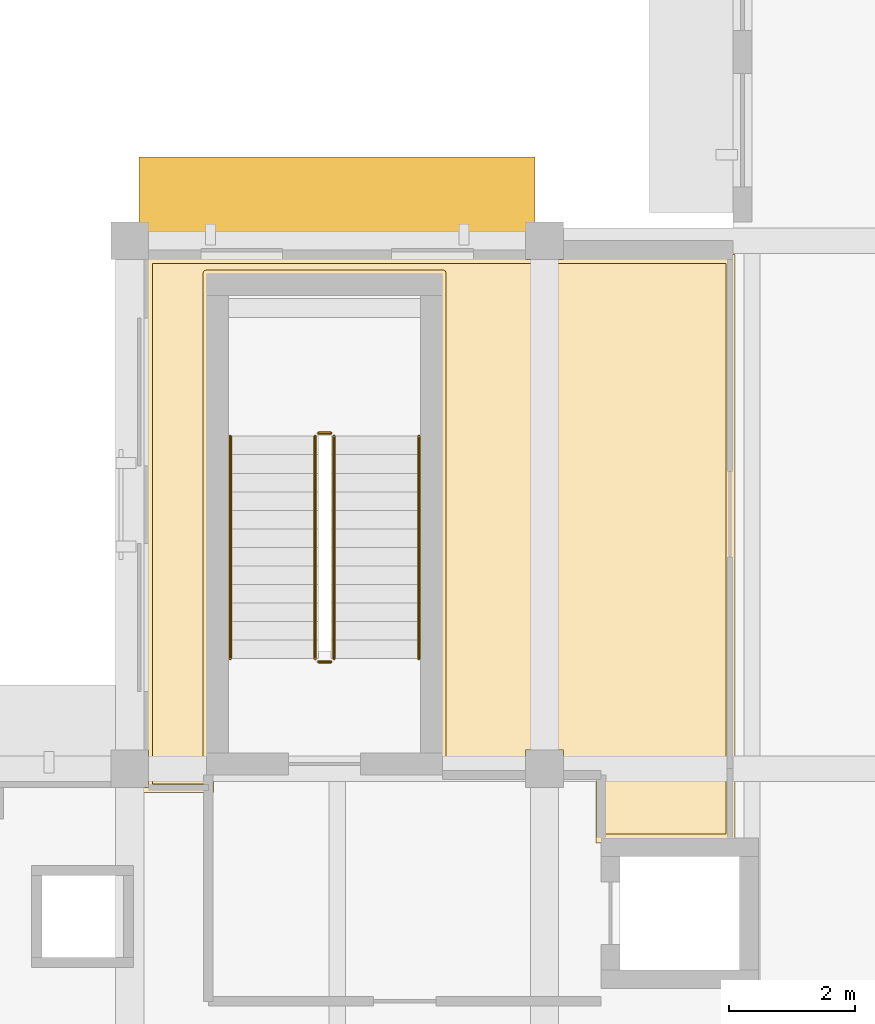
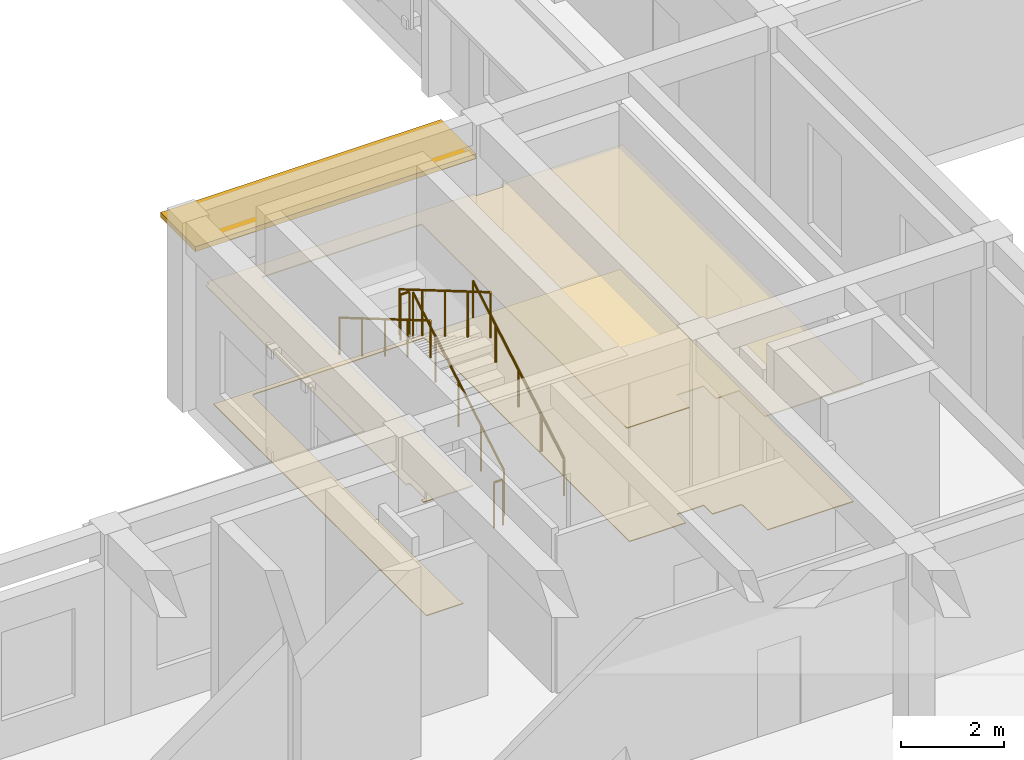
# One storey, part 22 of 25: 6 railings, 2 coverings, 1 shading device.
"""IFC4 building model written with IfcOpenShell, lengths in metres."""

from ifc_helpers import new_model, si_unit, direction, frame, origin, origin_2d, place, context, subcontext, project, spatial, polyline, rectangle, circle, outline, extrude, material, layer, layer_set, type_object, element, save


model = new_model("IFC4")

# Units and contexts
model_context = context("Model", 3, precision=1e-05, world=origin(), true_north=direction((0.0, 1.0)))
body_context = subcontext(model_context, "Body", "Model", "MODEL_VIEW")
ifc_project = project(units=[si_unit("LENGTHUNIT", "METRE"), si_unit("AREAUNIT", "SQUARE_METRE"), si_unit("VOLUMEUNIT", "CUBIC_METRE"), si_unit("PLANEANGLEUNIT", "RADIAN"), si_unit("MASSUNIT", "GRAM", prefix="KILO")], contexts=[model_context])

# Site, building, storey
site_placement = place(None, origin())
site = spatial("IfcSite", under=ifc_project, at=site_placement, CompositionType="ELEMENT")
building_placement = place(site_placement, origin())
building = spatial("IfcBuilding", under=site, at=building_placement, Name="Kolvaren Faculty of Natural Sciences", CompositionType="ELEMENT")
storey_placement = place(building_placement, frame((0.0, 0.0, 19.5)))
storey = spatial("IfcBuildingStorey", under=building, at=storey_placement, Name="L04", CompositionType="ELEMENT", Elevation=19.5)

# Covering
ifc_material_1 = material(Name="Perforated mineral-fibre acoustic suspended ceiling tile")
ifc_layer_1 = layer(ifc_material_1, 0.02490234375)
ifc_layer_set_1 = layer_set([ifc_layer_1], Name="Perforated mineral-fibre acoustic suspended ceiling tile")
covering_type_1 = type_object("IfcCoveringType", Name="AcousticSuspendedCeiling_25", PredefinedType="CEILING", material=ifc_layer_set_1)
covering_1_placement = place(storey_placement, frame((0.0, 0.0, 2.824951171875)))
element("IfcCovering", 1, at=covering_1_placement, inside=storey, type_object=covering_type_1, Name="L04 L04 Interdisciplinary Research Laboratory 29 acoustic ceiling", PredefinedType="CEILING", context=body_context, shape_type="SweptSolid", body=[
    extrude(outline(polyline([(135.22998046875, 41.97998046875), (135.22998046875, 32.6201171875), (133.02001953125, 32.6201171875), (133.02001953125, 33.6201171875), (132.5, 33.6201171875), (132.5, 34.10009765625), (131.89990234375, 34.10009765625), (131.89990234375, 33.6201171875), (130.4951171875, 33.6201171875), (130.4951171875, 41.594970703125), (126.905029296875, 41.594970703125), (126.905029296875, 33.780029296875), (126.929931640625, 33.780029296875), (126.929931640625, 33.419921875), (125.820068359375, 33.419921875), (125.820068359375, 33.5), (125.89990234375, 33.5), (125.89990234375, 34.10009765625), (125.820068359375, 34.10009765625), (125.820068359375, 41.89990234375), (125.89990234375, 41.89990234375), (125.89990234375, 41.97998046875), (131.89990234375, 41.97998046875), (131.89990234375, 41.89990234375), (132.5, 41.89990234375), (132.5, 41.97998046875), (135.199951171875, 41.97998046875), (135.22998046875, 41.97998046875)])), origin(), (0.0, 0.0, 1.0), 0.025146484375),
])

# Shading device
ifc_material_2 = material(Name="Precast concrete C35/45", Category="concrete")
ifc_layer_2 = layer(ifc_material_2, 0.1201171875)
ifc_layer_set_2 = layer_set([ifc_layer_2], Name="Precast concrete C35/45")
shading_device_type = type_object("IfcShadingDeviceType", Name="ChhajjaSolarHood_1350", PredefinedType="AWNING", material=ifc_layer_set_2)
shading_device_placement = place(storey_placement, frame((128.89990234375, 42.85498046875, 3.494873046875), z_axis=(0.0, 0.0, 1.0), x_axis=(1.0, 0.0, 0.0)))
element("IfcShadingDevice", 2, at=shading_device_placement, inside=storey, type_object=shading_device_type, Name="L04 precast sandstone chhajja solar hood 124", PredefinedType="AWNING", context=body_context, shape_type="SweptSolid", body=[
    extrude(rectangle(XDim=6.300048828125, YDim=1.35009765625, at=origin_2d()), origin(), (0.0, 0.0, 1.0), 0.1201171875),
])

# Covering
ifc_material_3 = material(Name="Seamless chemical-resistant laboratory epoxy resin flooring")
ifc_layer_3 = layer(ifc_material_3, 0.02001953125)
ifc_layer_set_3 = layer_set([ifc_layer_3], Name="Seamless chemical-resistant laboratory epoxy resin flooring")
covering_type_2 = type_object("IfcCoveringType", Name="LabEpoxyFloorFinish_20", PredefinedType="FLOORING", material=ifc_layer_set_3)
covering_2_placement = place(storey_placement, origin())
element("IfcCovering", 3, at=covering_2_placement, inside=storey, type_object=covering_type_2, Name="L04 L04 Interdisciplinary Research Laboratory 29 floor finish", PredefinedType="FLOORING", context=body_context, shape_type="SweptSolid", body=[
    extrude(outline(polyline([(135.090087890625, 41.840087890625), (135.090087890625, 32.760009765625), (133.159912109375, 32.760009765625), (133.159912109375, 33.699951171875), (133.15966796875, 33.705810546875), (133.15869140625, 33.711669921875), (133.157470703125, 33.71728515625), (133.155517578125, 33.722900390625), (133.15283203125, 33.728271484375), (133.14990234375, 33.7333984375), (133.146484375, 33.738037109375), (133.142333984375, 33.742431640625), (133.13818359375, 33.746337890625), (133.13330078125, 33.75), (133.12841796875, 33.7529296875), (133.123046875, 33.75537109375), (133.117431640625, 33.75732421875), (133.11181640625, 33.7587890625), (133.10595703125, 33.759765625), (133.10009765625, 33.760009765625), (132.5, 33.760009765625), (132.5, 34.10009765625), (131.89990234375, 34.10009765625), (131.89990234375, 33.760009765625), (130.635009765625, 33.760009765625), (130.635009765625, 41.675048828125), (130.634765625, 41.680908203125), (130.6337890625, 41.686767578125), (130.63232421875, 41.6923828125), (130.63037109375, 41.697998046875), (130.6279296875, 41.703369140625), (130.625, 41.708251953125), (130.621337890625, 41.713134765625), (130.617431640625, 41.71728515625), (130.613037109375, 41.721435546875), (130.6083984375, 41.724853515625), (130.603271484375, 41.727783203125), (130.597900390625, 41.73046875), (130.59228515625, 41.732421875), (130.586669921875, 41.73388671875), (130.580810546875, 41.734619140625), (130.574951171875, 41.735107421875), (126.824951171875, 41.735107421875), (126.819091796875, 41.734619140625), (126.813232421875, 41.73388671875), (126.8076171875, 41.732421875), (126.802001953125, 41.73046875), (126.796630859375, 41.727783203125), (126.791748046875, 41.724853515625), (126.786865234375, 41.721435546875), (126.78271484375, 41.71728515625), (126.778564453125, 41.713134765625), (126.775146484375, 41.708251953125), (126.772216796875, 41.703369140625), (126.76953125, 41.697998046875), (126.767578125, 41.6923828125), (126.76611328125, 41.686767578125), (126.765380859375, 41.680908203125), (126.764892578125, 41.675048828125), (126.764892578125, 33.699951171875), (126.765380859375, 33.694091796875), (126.76611328125, 33.688232421875), (126.767578125, 33.6826171875), (126.76953125, 33.677001953125), (126.772216796875, 33.671630859375), (126.775146484375, 33.666748046875), (126.778564453125, 33.661865234375), (126.78271484375, 33.65771484375), (126.786865234375, 33.653564453125), (126.7900390625, 33.6513671875), (126.7900390625, 33.56005859375), (125.9599609375, 33.56005859375), (125.9599609375, 41.840087890625), (135.090087890625, 41.840087890625)])), origin(), (0.0, 0.0, 1.0), 0.02001953125),
])

# Railings
ifc_material_4 = material(Name="Structural steel EN 10210-1 S355J2H", Category="steel")
ifc_layer_4 = layer(ifc_material_4, 0.048095703125)
ifc_layer_set_4 = layer_set([ifc_layer_4], Name="Structural steel EN 10210-1 S355J2H")
railing_type_1 = type_object("IfcRailingType", Name="StairPitchHandrail_920", PredefinedType="HANDRAIL", material=ifc_layer_set_4)
railing_1_placement = place(storey_placement, frame((130.199951171875, 35.550048828125, 0.173095703125)))
element("IfcRailing", 4, at=railing_1_placement, inside=storey, type_object=railing_type_1, Name="L04 ST-3 stair handrail 1", PredefinedType="HANDRAIL", context=body_context, shape_type="SweptSolid", body=[
    extrude(circle(Radius=0.02392578125, at=origin_2d()), frame((0.0, 0.0, 0.8759765625), z_axis=(0.0, 0.862516251723, 0.506029362304), x_axis=(-1.0, 0.0, 0.0)), (0.0, 0.0, 1.0), 4.104248046875),
    extrude(circle(Radius=0.02099609375, at=origin_2d()), origin(), (0.0, 0.0, 1.0), 0.851806640625),
    extrude(circle(Radius=0.02099609375, at=origin_2d()), frame((0.0, 0.885009765625, 0.519287109375)), (0.0, 0.0, 1.0), 0.851806640625),
    extrude(circle(Radius=0.02099609375, at=origin_2d()), frame((0.0, 1.77001953125, 1.03857421875)), (0.0, 0.0, 1.0), 0.851806640625),
    extrude(circle(Radius=0.02099609375, at=origin_2d()), frame((0.0, 2.655029296875, 1.5576171875)), (0.0, 0.0, 1.0), 0.851806640625),
    extrude(circle(Radius=0.02099609375, at=origin_2d()), frame((0.0, 3.5400390625, 2.076904296875)), (0.0, 0.0, 1.0), 0.851806640625),
])
railing_2_placement = place(storey_placement, frame((127.199951171875, 39.090087890625, 2.423095703125)))
element("IfcRailing", 5, at=railing_2_placement, inside=storey, type_object=railing_type_1, Name="L04 ST-3 stair handrail 2", PredefinedType="HANDRAIL", context=body_context, shape_type="SweptSolid", body=[
    extrude(circle(Radius=0.02392578125, at=origin_2d()), frame((0.0, 0.0, 0.8759765625), z_axis=(0.0, -0.862516251723, 0.506029362304), x_axis=(1.0, 0.0, 0.0)), (0.0, 0.0, 1.0), 4.104248046875),
    extrude(circle(Radius=0.02099609375, at=origin_2d()), origin(), (0.0, 0.0, 1.0), 0.851806640625),
    extrude(circle(Radius=0.02099609375, at=origin_2d()), frame((0.0, -0.885009765625, 0.519287109375)), (0.0, 0.0, 1.0), 0.851806640625),
    extrude(circle(Radius=0.02099609375, at=origin_2d()), frame((0.0, -1.77001953125, 1.03857421875)), (0.0, 0.0, 1.0), 0.851806640625),
    extrude(circle(Radius=0.02099609375, at=origin_2d()), frame((0.0, -2.655029296875, 1.5576171875)), (0.0, 0.0, 1.0), 0.851806640625),
    extrude(circle(Radius=0.02099609375, at=origin_2d()), frame((0.0, -3.5400390625, 2.076904296875)), (0.0, 0.0, 1.0), 0.851806640625),
])
ifc_layer_5 = layer(ifc_material_4, 0.048095703125)
ifc_layer_set_5 = layer_set([ifc_layer_5], Name="Structural steel EN 10210-1 S355J2H")
railing_type_2 = type_object("IfcRailingType", Name="StairWellGuard_1100", PredefinedType="BALUSTRADE", material=ifc_layer_set_5)
railing_3_placement = place(storey_placement, frame((128.85009765625, 35.550048828125, 0.173095703125)))
element("IfcRailing", 6, at=railing_3_placement, inside=storey, type_object=railing_type_2, Name="L04 ST-3 stair guard 1", PredefinedType="BALUSTRADE", context=body_context, shape_type="SweptSolid", body=[
    extrude(circle(Radius=0.02392578125, at=origin_2d()), frame((0.0, 0.0, 1.076171875), z_axis=(0.0, 0.862516251723, 0.506029362304), x_axis=(-1.0, 0.0, 0.0)), (0.0, 0.0, 1.0), 4.104248046875),
    extrude(circle(Radius=0.02099609375, at=origin_2d()), origin(), (0.0, 0.0, 1.0), 1.052001953125),
    extrude(circle(Radius=0.02099609375, at=origin_2d()), frame((0.0, 0.885009765625, 0.519287109375)), (0.0, 0.0, 1.0), 1.052001953125),
    extrude(circle(Radius=0.02099609375, at=origin_2d()), frame((0.0, 1.77001953125, 1.03857421875)), (0.0, 0.0, 1.0), 1.052001953125),
    extrude(circle(Radius=0.02099609375, at=origin_2d()), frame((0.0, 2.655029296875, 1.5576171875)), (0.0, 0.0, 1.0), 1.052001953125),
    extrude(circle(Radius=0.02099609375, at=origin_2d()), frame((0.0, 3.5400390625, 2.076904296875)), (0.0, 0.0, 1.0), 1.052001953125),
])
railing_4_placement = place(storey_placement, frame((128.800048828125, 39.139892578125, 2.25)))
element("IfcRailing", 7, at=railing_4_placement, inside=storey, type_object=railing_type_2, Name="L04 ST-3 stair guard 2", PredefinedType="BALUSTRADE", context=body_context, shape_type="SweptSolid", body=[
    extrude(circle(Radius=0.02392578125, at=origin_2d()), frame((0.0, 0.0, 1.076171875), z_axis=(-1.0, 0.0, 0.0), x_axis=(0.0, -1.0, 0.0)), (0.0, 0.0, 1.0), 0.199951171875),
    extrude(circle(Radius=0.02099609375, at=origin_2d()), origin(), (0.0, 0.0, 1.0), 1.052001953125),
    extrude(circle(Radius=0.02099609375, at=origin_2d()), frame((-0.199951171875, 0.0, 0.0)), (0.0, 0.0, 1.0), 1.052001953125),
])
railing_5_placement = place(storey_placement, frame((128.550048828125, 39.090087890625, 2.423095703125)))
element("IfcRailing", 8, at=railing_5_placement, inside=storey, type_object=railing_type_2, Name="L04 ST-3 stair guard 3", PredefinedType="BALUSTRADE", context=body_context, shape_type="SweptSolid", body=[
    extrude(circle(Radius=0.02392578125, at=origin_2d()), frame((0.0, 0.0, 1.076171875), z_axis=(0.0, -0.862516251723, 0.506029362304), x_axis=(1.0, 0.0, 0.0)), (0.0, 0.0, 1.0), 4.104248046875),
    extrude(circle(Radius=0.02099609375, at=origin_2d()), origin(), (0.0, 0.0, 1.0), 1.052001953125),
    extrude(circle(Radius=0.02099609375, at=origin_2d()), frame((0.0, -0.885009765625, 0.519287109375)), (0.0, 0.0, 1.0), 1.052001953125),
    extrude(circle(Radius=0.02099609375, at=origin_2d()), frame((0.0, -1.77001953125, 1.03857421875)), (0.0, 0.0, 1.0), 1.052001953125),
    extrude(circle(Radius=0.02099609375, at=origin_2d()), frame((0.0, -2.655029296875, 1.5576171875)), (0.0, 0.0, 1.0), 1.052001953125),
    extrude(circle(Radius=0.02099609375, at=origin_2d()), frame((0.0, -3.5400390625, 2.076904296875)), (0.0, 0.0, 1.0), 1.052001953125),
])
railing_6_placement = place(storey_placement, frame((128.800048828125, 35.5, 0.0)))
element("IfcRailing", 9, at=railing_6_placement, inside=storey, type_object=railing_type_2, Name="L04 ST-3 stair guard 4", PredefinedType="BALUSTRADE", context=body_context, shape_type="SweptSolid", body=[
    extrude(circle(Radius=0.02392578125, at=origin_2d()), frame((0.0, 0.0, 1.076171875), z_axis=(-1.0, 0.0, 0.0), x_axis=(0.0, -1.0, 0.0)), (0.0, 0.0, 1.0), 0.199951171875),
    extrude(circle(Radius=0.02099609375, at=origin_2d()), origin(), (0.0, 0.0, 1.0), 1.052001953125),
    extrude(circle(Radius=0.02099609375, at=origin_2d()), frame((-0.199951171875, 0.0, 0.0)), (0.0, 0.0, 1.0), 1.052001953125),
])

save(model, "model.ifc")
